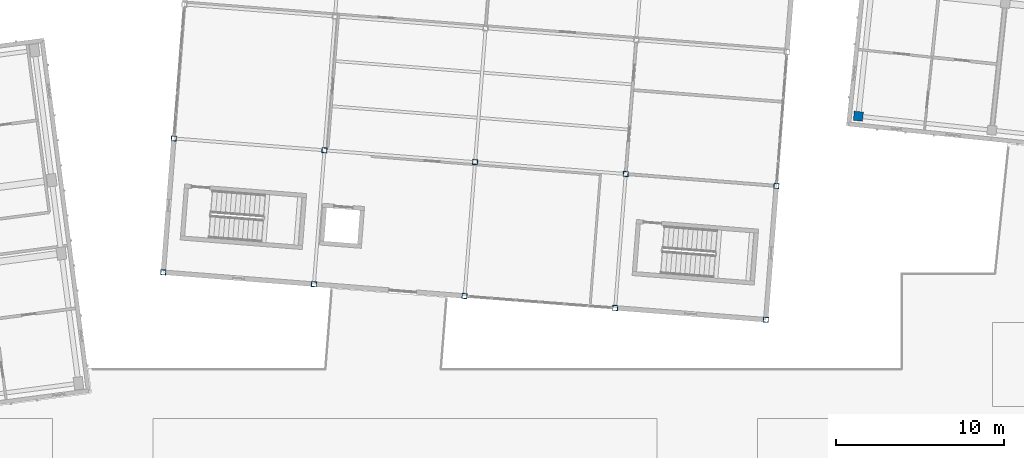
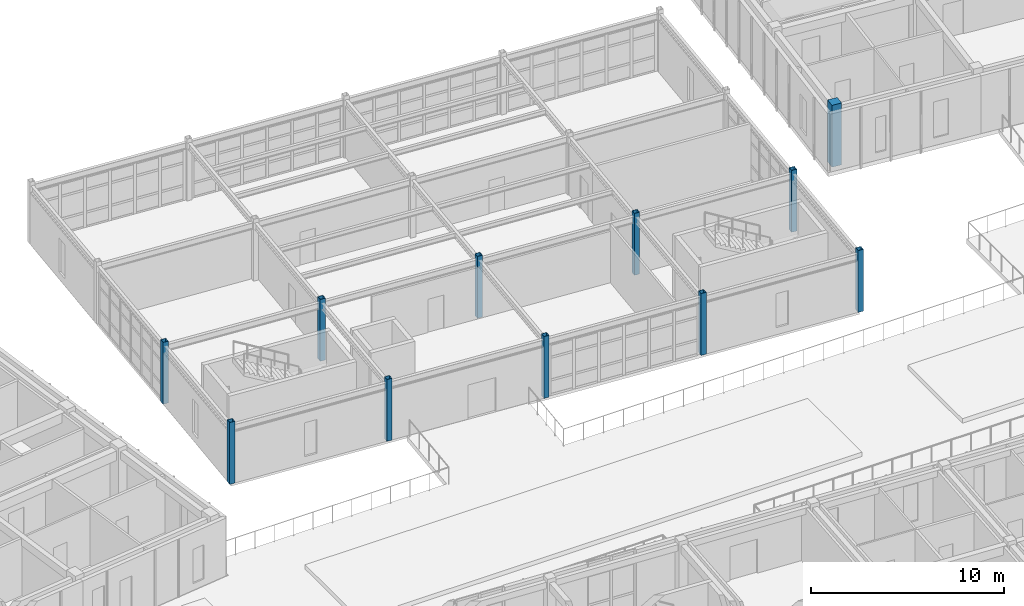
# One storey, part 2 of 150: 11 columns.
"""IFC4 building model written with IfcOpenShell, lengths in metres."""

from ifc_helpers import new_model, si_unit, direction, frame, origin, origin_2d, place, context, subcontext, project, spatial, rectangle, hollow_rectangle, extrude, material, material_profile, profile_set, type_object, element, save


model = new_model("IFC4")

# Units and contexts
model_context = context("Model", 3, precision=1e-05, world=origin(), true_north=direction((0.0, 1.0)))
body_context = subcontext(model_context, "Body", "Model", "MODEL_VIEW")
ifc_project = project(units=[si_unit("LENGTHUNIT", "METRE"), si_unit("AREAUNIT", "SQUARE_METRE"), si_unit("VOLUMEUNIT", "CUBIC_METRE"), si_unit("PLANEANGLEUNIT", "RADIAN"), si_unit("MASSUNIT", "GRAM", prefix="KILO")], contexts=[model_context])

# Site, building, storey
site_placement = place(None, origin())
site = spatial("IfcSite", under=ifc_project, at=site_placement, CompositionType="ELEMENT")
building_placement = place(site_placement, origin())
building = spatial("IfcBuilding", under=site, at=building_placement, Name="Kestramere Prow Commons", CompositionType="ELEMENT")
storey_placement = place(building_placement, frame((0.0, 0.0, 4.5)))
storey = spatial("IfcBuildingStorey", under=building, at=storey_placement, Name="L01", CompositionType="ELEMENT", Elevation=4.5)

# Columns
ifc_material_1 = material(Name="Precast concrete C40/50", Category="concrete")
ifc_material_profile_1 = material_profile(ifc_material_1, rectangle(XDim=0.550048828125, YDim=0.550048828125, at=origin_2d()), Name="PC-COL 550x550")
ifc_profile_set_1 = profile_set([ifc_material_profile_1], Name="Precast concrete C40/50")
column_type_1 = type_object("IfcColumnType", Name="C-B2 PC-COL 550x550", PredefinedType="COLUMN", material=ifc_profile_set_1)
column_placement = place(storey_placement, frame((110.0, 94.800048828125, 0.0), z_axis=(0.0, 0.0, 1.0), x_axis=(0.994521895368, -0.104528463268, 0.0)))
element("IfcColumn", 1, at=column_placement, inside=storey, type_object=column_type_1, Name="Block B L01 Column 1-1", PredefinedType="COLUMN", context=body_context, shape_type="SweptSolid", body=[
    extrude(rectangle(XDim=0.550048828125, YDim=0.550048828125, at=origin_2d()), origin(), (0.0, 0.0, 1.0), 3.89990234375),
])
ifc_material_2 = material(Name="Steel S355JR", Category="steel")
ifc_material_profile_2 = material_profile(ifc_material_2, hollow_rectangle(XDim=0.300048828125, YDim=0.300048828125, WallThickness=0.01611328125, at=origin_2d()), Name="SHS 300x300x16")
ifc_profile_set_2 = profile_set([ifc_material_profile_2], Name="Steel S355JR")
column_type_2 = type_object("IfcColumnType", Name="C-NR1 SHS 300x300x16", PredefinedType="COLUMN", material=ifc_profile_set_2)
for number, where, z_axis, x_axis, name in (
    (2, (68.60009765625, 85.5, 0.0), (0.0, 0.0, 1.0), (0.996917333733, -0.078459095728, 0.0), "Nursery L01 Steel Column 1-1"),
    (3, (69.227783203125, 93.475341796875, 0.0), (0.0, 0.0, 1.0), (0.996917333733, -0.078459095728, 0.0), "Nursery L01 Steel Column 1-2"),
    (4, (77.572265625, 84.7939453125, 0.0), (0.0, 0.0, 1.0), (0.996917333733, -0.078459095728, 0.0), "Nursery L01 Steel Column 2-1"),
    (5, (86.54443359375, 84.087646484375, 0.0), (0.0, 0.0, 1.0), (0.996917333733, -0.078459095728, 0.0), "Nursery L01 Steel Column 3-1"),
    (6, (95.516845703125, 83.381591796875, 0.0), (0.0, 0.0, 1.0), (0.996917333733, -0.078459095728, 0.0), "Nursery L01 Steel Column 4-1"),
    (7, (104.489013671875, 82.675537109375, 0.0), (0.0, 0.0, 1.0), (0.996917333733, -0.078459095728, 0.0), "Nursery L01 Steel Column 5-1"),
    (8, (105.11669921875, 90.65087890625, 0.0), (0.0, 0.0, 1.0), (0.996917333733, -0.078459095728, 0.0), "Nursery L01 Steel Column 5-2"),
):
    element("IfcColumn", number, at=place(storey_placement, frame(where, z_axis=z_axis, x_axis=x_axis)), inside=storey, type_object=column_type_2, Name=name, PredefinedType="COLUMN", context=body_context, shape_type="SweptSolid", body=[
        extrude(hollow_rectangle(XDim=0.300048828125, YDim=0.300048828125, WallThickness=0.01611328125, at=origin_2d()), origin(), (0.0, 0.0, 1.0), 3.89990234375),
    ])
ifc_material_profile_3 = material_profile(ifc_material_2, hollow_rectangle(XDim=0.300048828125, YDim=0.300048828125, WallThickness=0.01611328125, at=origin_2d()), Name="SHS 300x300x16")
ifc_profile_set_3 = profile_set([ifc_material_profile_3], Name="Steel S355JR")
column_type_3 = type_object("IfcColumnType", Name="C-NR1 SHS 300x300x16 (IN)", PredefinedType="COLUMN", material=ifc_profile_set_3)
for number, where, z_axis, x_axis, name in (
    (9, (78.199951171875, 92.769287109375, 0.0), (0.0, 0.0, 1.0), (0.996917333733, -0.078459095728, 0.0), "Nursery L01 Steel Column 2-2"),
    (10, (87.172119140625, 92.06298828125, 0.0), (0.0, 0.0, 1.0), (0.996917333733, -0.078459095728, 0.0), "Nursery L01 Steel Column 3-2"),
    (11, (96.14453125, 91.35693359375, 0.0), (0.0, 0.0, 1.0), (0.996917333733, -0.078459095728, 0.0), "Nursery L01 Steel Column 4-2"),
):
    element("IfcColumn", number, at=place(storey_placement, frame(where, z_axis=z_axis, x_axis=x_axis)), inside=storey, type_object=column_type_3, Name=name, PredefinedType="COLUMN", context=body_context, shape_type="SweptSolid", body=[
        extrude(hollow_rectangle(XDim=0.300048828125, YDim=0.300048828125, WallThickness=0.01611328125, at=origin_2d()), origin(), (0.0, 0.0, 1.0), 3.89990234375),
    ])

save(model, "model.ifc")
